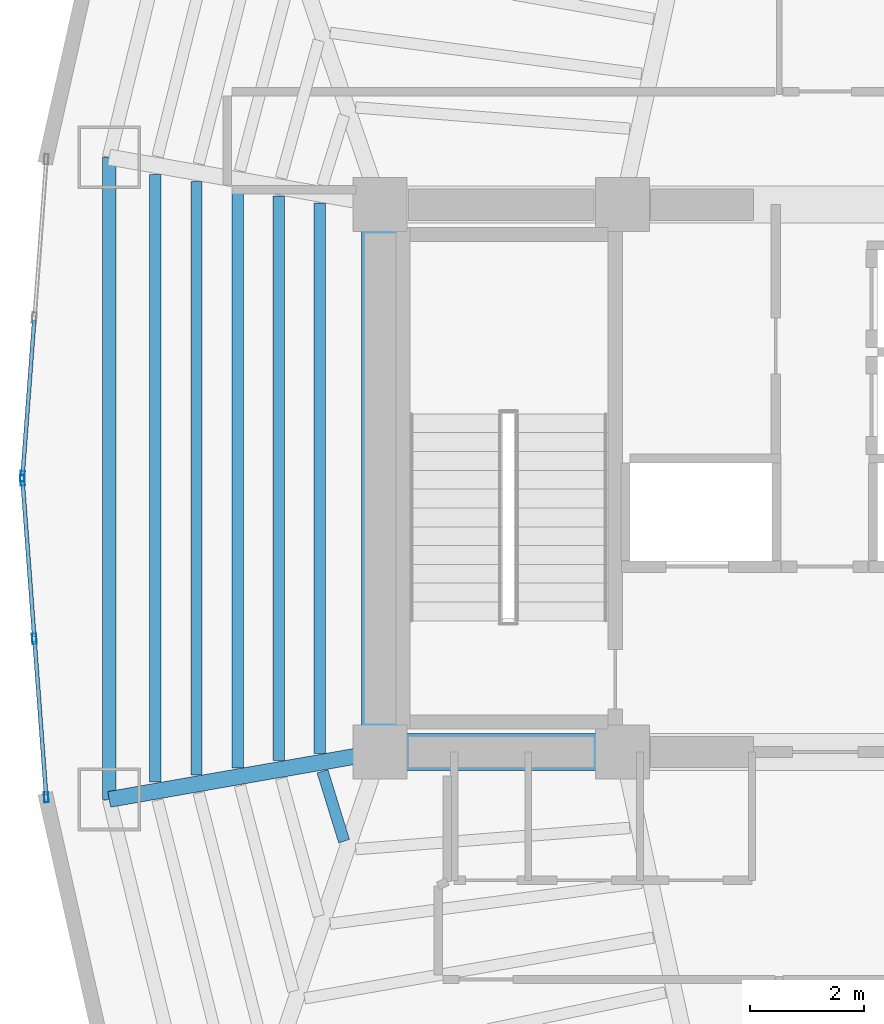
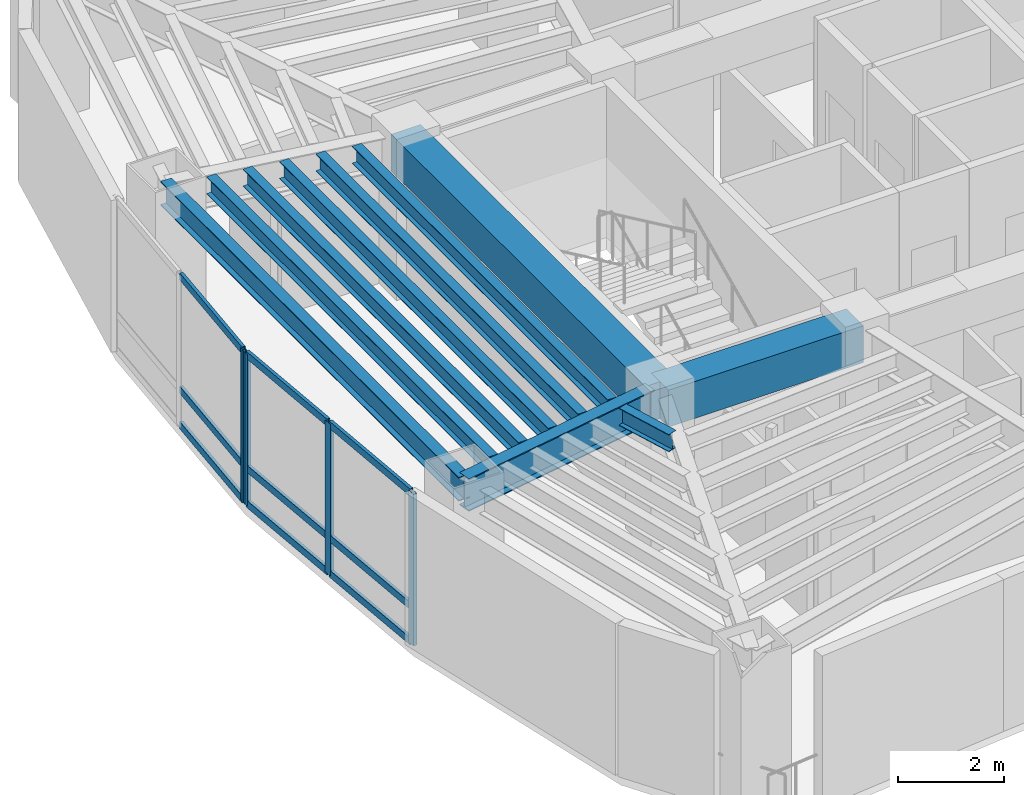
# One storey, part 3 of 17: 13 members, 10 beams, 2 elements without a shape of their own.
"""IFC4 building model written with IfcOpenShell, lengths in metres."""

import ifcopenshell
import ifcopenshell.guid

model = None  # the IFC model being written
_history = None  # IfcOwnerHistory: only IFC2X3 demands one
_inside = {}  # id of a spatial element -> (the spatial element, [elements in it])
_under = {}  # id of a project, library or spatial element -> (it, [spatial elements below it])
_declared = {}  # id of a project -> (the project, [libraries it declares])
_typed = {}  # id of a type object -> (the type object, [elements of that type])
_made_of = {}  # id of a material, layer set ... -> (it, [elements and type objects made of it])


def new_model(schema):
    """Start an empty IFC model of exactly this schema.

    Asked for "IFC4X3", IfcOpenShell would pick the latest addendum, in which some entities
    have other attributes; the version numbers below select the first issue.
    IFC2X3 requires an IfcOwnerHistory on every rooted entity: one is made here for all.
    """
    global model, _history
    if schema == "IFC4X3":
        model = ifcopenshell.file(schema_version=(4, 3, 0, 0))
    else:
        model = ifcopenshell.file(schema=schema)
    _inside.clear()
    _under.clear()
    _declared.clear()
    _typed.clear()
    _made_of.clear()
    _history = None
    if model.schema == "IFC2X3":
        org = make("IfcOrganization", Name="unknown")
        user = make(
            "IfcPersonAndOrganization",
            ThePerson=make("IfcPerson", FamilyName="unknown"),
            TheOrganization=org,
        )
        app = make(
            "IfcApplication",
            ApplicationDeveloper=org,
            Version="unknown",
            ApplicationFullName="unknown",
            ApplicationIdentifier="unknown",
        )
        _history = make(
            "IfcOwnerHistory",
            OwningUser=user,
            OwningApplication=app,
            ChangeAction="ADDED",
            CreationDate=0,
        )
    return model


def make(cls, **values):
    """One entity of the class cls with the attributes given. An attribute that is None is left unset."""
    return model.create_entity(
        cls, **{name: value for name, value in values.items() if value is not None}
    )


def rooted(cls, **values):
    """An entity with a GlobalId (a new one), such as an element, a storey or a relation."""
    return make(cls, GlobalId=ifcopenshell.guid.new(), OwnerHistory=_history, **values)


def si_unit(unit_type, name, prefix=None):
    """IfcSIUnit, for example si_unit("LENGTHUNIT", "METRE", prefix="MILLI")."""
    return make("IfcSIUnit", UnitType=unit_type, Prefix=prefix, Name=name)


def assignment(units):
    """IfcUnitAssignment: the units of a project."""
    return None if units is None else make("IfcUnitAssignment", Units=units)


def point(xyz):
    """IfcCartesianPoint."""
    return None if xyz is None else make("IfcCartesianPoint", Coordinates=xyz)


def direction(xyz):
    """IfcDirection."""
    return None if xyz is None else make("IfcDirection", DirectionRatios=xyz)


def frame(location, z_axis=None, x_axis=None):
    """IfcAxis2Placement3D, a coordinate frame: its origin and axes. An axis left out is left unset."""
    return make(
        "IfcAxis2Placement3D",
        Location=point(location),
        Axis=direction(z_axis),
        RefDirection=direction(x_axis),
    )


def frame_2d(location, x_axis=None):
    """IfcAxis2Placement2D, a coordinate frame in the plane: its origin and x axis."""
    return make(
        "IfcAxis2Placement2D", Location=point(location), RefDirection=direction(x_axis)
    )


def origin():
    """The frame at (0, 0, 0) with its axes left unset."""
    return frame((0.0, 0.0, 0.0))


def origin_2d():
    """The frame at (0, 0) in the plane with its x axis left unset."""
    return frame_2d((0.0, 0.0))


def place(relative_to, where):
    """IfcLocalPlacement: puts the frame where relative to a parent placement (None: the world)."""
    return make(
        "IfcLocalPlacement", PlacementRelTo=relative_to, RelativePlacement=where
    )


def context(
    kind, dimensions, precision=None, world=None, true_north=None, identifier=None
):
    """IfcGeometricRepresentationContext, for example the 3D "Model" context."""
    return make(
        "IfcGeometricRepresentationContext",
        ContextIdentifier=identifier,
        ContextType=kind,
        CoordinateSpaceDimension=dimensions,
        Precision=precision,
        WorldCoordinateSystem=world,
        TrueNorth=true_north,
    )


def subcontext(parent, identifier, kind, view, scale=None):
    """IfcGeometricRepresentationSubContext, for example "Body" below "Model"."""
    return make(
        "IfcGeometricRepresentationSubContext",
        ContextIdentifier=identifier,
        ContextType=kind,
        ParentContext=parent,
        TargetScale=scale,
        TargetView=view,
    )


def project(units=None, contexts=None):
    """IfcProject with its units and contexts."""
    return rooted(
        "IfcProject",
        Name="project",
        RepresentationContexts=contexts,
        UnitsInContext=assignment(units),
    )


def spatial(cls, under=None, at=None, **own):
    """A site, building, storey or space (cls), placed at a placement, below another one or the project."""
    s = rooted(cls, ObjectPlacement=at, **own)
    if under is not None:
        _under.setdefault(under.id(), (under, []))[1].append(s)
    return s


def profile(cls, at=None, kind="AREA", **sizes):
    """A parametric profile (cls). Its sizes go by their IFC names, for example OverallWidth=200.0."""
    return make(cls, ProfileType=kind, Position=at, **sizes)


def rectangle(**sizes):
    """IfcRectangleProfileDef."""
    return profile("IfcRectangleProfileDef", **sizes)


def hollow_rectangle(**sizes):
    """IfcRectangleHollowProfileDef."""
    return profile("IfcRectangleHollowProfileDef", **sizes)


def i_section(**sizes):
    """IfcIShapeProfileDef."""
    return profile("IfcIShapeProfileDef", **sizes)


def extrude(swept, where, along, depth):
    """IfcExtrudedAreaSolid: the profile swept, set in the frame where, extruded along a direction by depth."""
    return make(
        "IfcExtrudedAreaSolid",
        SweptArea=swept,
        Position=where,
        ExtrudedDirection=direction(along),
        Depth=depth,
    )


def shape(context_of_items, identifier, shape_type, items):
    """IfcShapeRepresentation: the items that make up one representation, for example the "Body"."""
    return make(
        "IfcShapeRepresentation",
        ContextOfItems=context_of_items,
        RepresentationIdentifier=identifier,
        RepresentationType=shape_type,
        Items=items,
    )


def material(Name=None, Category=None):
    """IfcMaterial."""
    return make("IfcMaterial", Name=Name, Category=Category)


def layer(
    of_material, thickness, ventilated=None, Name=None, Category=None, Priority=None
):
    """IfcMaterialLayer: one layer of a wall or slab, of a material (None: an air gap)."""
    return make(
        "IfcMaterialLayer",
        Material=of_material,
        LayerThickness=thickness,
        IsVentilated=ventilated,
        Name=Name,
        Category=Category,
        Priority=Priority,
    )


def layer_set(layers, Name=None):
    """IfcMaterialLayerSet."""
    return make("IfcMaterialLayerSet", MaterialLayers=layers, LayerSetName=Name)


def material_profile(
    of_material, cross_section, Name=None, Category=None, Priority=None
):
    """IfcMaterialProfile: a cross section and its material."""
    return make(
        "IfcMaterialProfile",
        Name=Name,
        Material=of_material,
        Profile=cross_section,
        Priority=Priority,
        Category=Category,
    )


def profile_set(profiles, Name=None, composite=None):
    """IfcMaterialProfileSet."""
    return make(
        "IfcMaterialProfileSet",
        Name=Name,
        MaterialProfiles=profiles,
        CompositeProfile=composite,
    )


def made_of(thing, what):
    """Note that an element or type object is made of a material, layer set ...; save() writes the relation."""
    if what is not None:
        _made_of.setdefault(what.id(), (what, []))[1].append(thing)
    return thing


def type_object(cls, material=None, **own):
    """A type object (cls), such as IfcWallType, which elements share."""
    return made_of(rooted(cls, **own), material)


def element(
    cls,
    number,
    at=None,
    inside=None,
    cuts=None,
    type_object=None,
    material=None,
    context=None,
    identifier="Body",
    shape_type=None,
    held_by="IfcProductDefinitionShape",
    body=None,
    shapes=None,
    **own,
):
    """One element of the class cls, such as IfcWall. Its Tag is "e" and its number.

    at: its placement. inside: the storey or other place that contains it. cuts: it is an
    opening in that element (IfcRelVoidsElement). A single representation is given by context,
    identifier, shape_type and body (its items); several are given by shapes. held_by: the class
    of the entity that holds the representations. save() writes the other relations.
    """
    e = rooted(cls, Tag="e%d" % number, ObjectPlacement=at, **own)
    if body is not None:
        shapes = [shape(context, identifier, shape_type, body)]
    if shapes is not None:
        e.Representation = make(held_by, Representations=shapes)
    if inside is not None:
        _inside.setdefault(inside.id(), (inside, []))[1].append(e)
    if cuts is not None:
        rooted(
            "IfcRelVoidsElement", RelatingBuildingElement=cuts, RelatedOpeningElement=e
        )
    if type_object is not None:
        _typed.setdefault(type_object.id(), (type_object, []))[1].append(e)
    return made_of(e, material)


def aggregate(whole, parts):
    """IfcRelAggregates: a whole, such as a stair, and the parts it consists of."""
    return rooted("IfcRelAggregates", RelatingObject=whole, RelatedObjects=parts)


def save(model, path):
    """Write the relations noted so far, then the file.

    IfcRelAggregates (storeys below a building ...), IfcRelContainedInSpatialStructure (elements
    in a storey), IfcRelDefinesByType, IfcRelAssociatesMaterial and IfcRelDeclares: one each for
    every whole, place, type object, material and project.
    """
    for whole, parts in _under.values():
        aggregate(whole, parts)
    for where, things in _inside.values():
        rooted(
            "IfcRelContainedInSpatialStructure",
            RelatedElements=things,
            RelatingStructure=where,
        )
    for kind, things in _typed.values():
        rooted("IfcRelDefinesByType", RelatedObjects=things, RelatingType=kind)
    for what, things in _made_of.values():
        rooted("IfcRelAssociatesMaterial", RelatedObjects=things, RelatingMaterial=what)
    for by, libraries in _declared.values():
        rooted("IfcRelDeclares", RelatingContext=by, RelatedDefinitions=libraries)
    model.write(path)


model = new_model("IFC4")

# Units and contexts
model_context = context("Model", 3, precision=1e-05, world=origin(), true_north=direction((0.0, 1.0)))
body_context = subcontext(model_context, "Body", "Model", "MODEL_VIEW")
ifc_project = project(units=[si_unit("LENGTHUNIT", "METRE"), si_unit("AREAUNIT", "SQUARE_METRE"), si_unit("VOLUMEUNIT", "CUBIC_METRE"), si_unit("PLANEANGLEUNIT", "RADIAN"), si_unit("MASSUNIT", "GRAM", prefix="KILO")], contexts=[model_context])

# Site, building, storey
site_placement = place(None, origin())
site = spatial("IfcSite", under=ifc_project, at=site_placement, CompositionType="ELEMENT")
building_placement = place(site_placement, origin())
building = spatial("IfcBuilding", under=site, at=building_placement, Name="Menara Vayukalpa", CompositionType="ELEMENT")
storey_placement = place(building_placement, frame((0.0, 0.0, 154.320068359375)))
storey = spatial("IfcBuildingStorey", under=building, at=storey_placement, Name="L38", CompositionType="ELEMENT", Elevation=154.320068359375)

# Beams
ifc_material_1 = material(Name="Concrete C60/75", Category="concrete")
ifc_material_profile_1 = material_profile(ifc_material_1, rectangle(XDim=0.64990234375, YDim=0.85009765625, at=origin_2d()), Name="RC 650x850")
ifc_profile_set_1 = profile_set([ifc_material_profile_1], Name="Concrete C60/75")
beam_type_1 = type_object("IfcBeamType", Name="BM-CB1", PredefinedType="BEAM", material=ifc_profile_set_1)
beam_1_placement = place(storey_placement, frame((17.800048828125, 17.199951171875, 3.074951171875), z_axis=(1.0, 0.0, 0.0), x_axis=(0.0, 1.0, 0.0)))
element("IfcBeam", 1, at=beam_1_placement, inside=storey, type_object=beam_type_1, Name="L38 Core Tie Beam CBR1", PredefinedType="BEAM", context=body_context, shape_type="SweptSolid", body=[
    extrude(rectangle(XDim=0.64990234375, YDim=0.85009765625, at=origin_2d()), origin(), (0.0, 0.0, 1.0), 4.25),
])
beam_2_placement = place(storey_placement, frame((17.800048828125, 17.199951171875, 3.074951171875), z_axis=(0.0, 1.0, 0.0), x_axis=(-1.0, 0.0, 0.0)))
element("IfcBeam", 2, at=beam_2_placement, inside=storey, type_object=beam_type_1, Name="L38 Core Tie Beam CBR7", PredefinedType="BEAM", context=body_context, shape_type="SweptSolid", body=[
    extrude(rectangle(XDim=0.64990234375, YDim=0.85009765625, at=origin_2d()), origin(), (0.0, 0.0, 1.0), 9.60009765625),
])
ifc_material_2 = material(Name="Steel S355", Category="steel")
ifc_material_profile_2 = material_profile(ifc_material_2, i_section(OverallWidth=0.280029296875, OverallDepth=0.75, WebThickness=0.013916015625, FlangeThickness=0.02490234375, at=origin_2d()), Name="WF 750x280x14x25")
ifc_profile_set_2 = profile_set([ifc_material_profile_2], Name="Steel S355")
beam_type_2 = type_object("IfcBeamType", Name="BM-PG4", PredefinedType="BEAM", material=ifc_profile_set_2)
beam_3_placement = place(storey_placement, frame((17.5537109375, 17.156982421875, 3.125), z_axis=(-0.985011651805, -0.172487813505, 0.0), x_axis=(0.172487813505, -0.985011651805, 0.0)))
element("IfcBeam", 3, at=beam_3_placement, inside=storey, type_object=beam_type_2, Name="L38 Primary Radial Girder RG06", PredefinedType="BEAM", context=body_context, shape_type="SweptSolid", body=[
    extrude(i_section(OverallWidth=0.280029296875, OverallDepth=0.75, WebThickness=0.013916015625, FlangeThickness=0.02490234375, at=origin_2d()), origin(), (0.0, 0.0, 1.0), 4.5732421875),
])
ifc_material_3 = material(Name="Steel S355", Category="steel")
ifc_material_profile_3 = material_profile(ifc_material_3, i_section(OverallWidth=0.199951171875, OverallDepth=0.39990234375, WebThickness=0.008056640625, FlangeThickness=0.012939453125, at=origin_2d()), Name="WF 400x200x8x13")
ifc_profile_set_3 = profile_set([ifc_material_profile_3], Name="Steel S355")
beam_type_3 = type_object("IfcBeamType", Name="BM-SJ2", PredefinedType="JOIST", material=ifc_profile_set_3)
beam_4_placement = place(storey_placement, frame((16.742919921875, 26.8251953125, 3.300048828125), z_axis=(0.0, -1.0, 0.0), x_axis=(1.0, 0.0, 0.0)))
element("IfcBeam", 4, at=beam_4_placement, inside=storey, type_object=beam_type_3, Name="L38 Secondary Floor Joist SJ05-1", PredefinedType="JOIST", context=body_context, shape_type="SweptSolid", body=[
    extrude(i_section(OverallWidth=0.199951171875, OverallDepth=0.39990234375, WebThickness=0.008056640625, FlangeThickness=0.012939453125, at=origin_2d()), origin(), (0.0, 0.0, 1.0), 9.650390625),
])
beam_5_placement = place(storey_placement, frame((16.022216796875, 26.951416015625, 3.300048828125), z_axis=(0.0, -1.0, 0.0), x_axis=(1.0, 0.0, 0.0)))
element("IfcBeam", 5, at=beam_5_placement, inside=storey, type_object=beam_type_3, Name="L38 Secondary Floor Joist SJ05-2", PredefinedType="JOIST", context=body_context, shape_type="SweptSolid", body=[
    extrude(i_section(OverallWidth=0.199951171875, OverallDepth=0.39990234375, WebThickness=0.008056640625, FlangeThickness=0.012939453125, at=origin_2d()), origin(), (0.0, 0.0, 1.0), 9.90283203125),
])
beam_6_placement = place(storey_placement, frame((15.301513671875, 27.077392578125, 3.300048828125), z_axis=(0.0, -1.0, 0.0), x_axis=(1.0, 0.0, 0.0)))
element("IfcBeam", 6, at=beam_6_placement, inside=storey, type_object=beam_type_3, Name="L38 Secondary Floor Joist SJ05-3", PredefinedType="JOIST", context=body_context, shape_type="SweptSolid", body=[
    extrude(i_section(OverallWidth=0.199951171875, OverallDepth=0.39990234375, WebThickness=0.008056640625, FlangeThickness=0.012939453125, at=origin_2d()), origin(), (0.0, 0.0, 1.0), 10.15478515625),
])
beam_7_placement = place(storey_placement, frame((14.580810546875, 27.20361328125, 3.300048828125), z_axis=(0.0, -1.0, 0.0), x_axis=(1.0, 0.0, 0.0)))
element("IfcBeam", 7, at=beam_7_placement, inside=storey, type_object=beam_type_3, Name="L38 Secondary Floor Joist SJ05-4", PredefinedType="JOIST", context=body_context, shape_type="SweptSolid", body=[
    extrude(i_section(OverallWidth=0.199951171875, OverallDepth=0.39990234375, WebThickness=0.008056640625, FlangeThickness=0.012939453125, at=origin_2d()), origin(), (0.0, 0.0, 1.0), 10.4072265625),
])
beam_8_placement = place(storey_placement, frame((13.85986328125, 27.329833984375, 3.300048828125), z_axis=(0.0, -1.0, 0.0), x_axis=(1.0, 0.0, 0.0)))
element("IfcBeam", 8, at=beam_8_placement, inside=storey, type_object=beam_type_3, Name="L38 Secondary Floor Joist SJ05-5", PredefinedType="JOIST", context=body_context, shape_type="SweptSolid", body=[
    extrude(i_section(OverallWidth=0.199951171875, OverallDepth=0.39990234375, WebThickness=0.008056640625, FlangeThickness=0.012939453125, at=origin_2d()), origin(), (0.0, 0.0, 1.0), 10.65966796875),
])
beam_9_placement = place(storey_placement, frame((16.7900390625, 16.862060546875, 3.300048828125), z_axis=(0.294914687622, -0.955523587896, 0.0), x_axis=(0.955523587896, 0.294914687622, 0.0)))
element("IfcBeam", 9, at=beam_9_placement, inside=storey, type_object=beam_type_3, Name="L38 Secondary Floor Joist SJ06-1", PredefinedType="JOIST", context=body_context, shape_type="SweptSolid", body=[
    extrude(i_section(OverallWidth=0.199951171875, OverallDepth=0.39990234375, WebThickness=0.008056640625, FlangeThickness=0.012939453125, at=origin_2d()), origin(), (0.0, 0.0, 1.0), 1.283203125),
])
ifc_material_4 = material(Name="Steel S355", Category="steel")
ifc_material_profile_4 = material_profile(ifc_material_4, i_section(OverallWidth=0.239990234375, OverallDepth=0.550048828125, WebThickness=0.010986328125, FlangeThickness=0.01904296875, at=origin_2d()), Name="WF 550x240x11x19")
ifc_profile_set_4 = profile_set([ifc_material_profile_4], Name="Steel S355")
beam_type_4 = type_object("IfcBeamType", Name="BM-SP2", PredefinedType="SPANDREL", material=ifc_profile_set_4)
beam_10_placement = place(storey_placement, frame((13.049072265625, 27.6318359375, 3.224853515625), z_axis=(0.0, -1.0, 0.0), x_axis=(1.0, 0.0, 0.0)))
element("IfcBeam", 10, at=beam_10_placement, inside=storey, type_object=beam_type_4, Name="L38 Perimeter Spandrel Beam SP05", PredefinedType="SPANDREL", context=body_context, shape_type="SweptSolid", body=[
    extrude(i_section(OverallWidth=0.239990234375, OverallDepth=0.550048828125, WebThickness=0.010986328125, FlangeThickness=0.01904296875, at=origin_2d()), origin(), (0.0, 0.0, 1.0), 11.263671875),
])

# Curtain wall, member
ifc_material_5 = material(Name="Anodised Terracotta Aluminium Alloy 6063-T6", Category="masonry")
ifc_layer = layer(ifc_material_5, 0.179931640625)
ifc_layer_set = layer_set([ifc_layer], Name="Anodised Terracotta Aluminium Alloy 6063-T6")
curtain_wall_type = type_object("IfcCurtainWallType", Name="CW-CW4", PredefinedType="USERDEFINED", material=ifc_layer_set)
curtain_wall_1_placement = place(storey_placement, origin())
curtain_wall_1 = element("IfcCurtainWall", 11, at=curtain_wall_1_placement, inside=storey, type_object=curtain_wall_type, Name="L38 Sky Bar Cantilever Glazed Curtain Wall CW4 10", ObjectType="UNITISED", PredefinedType="USERDEFINED")
ifc_material_6 = material(Name="Anodised Terracotta Aluminium Alloy 6063-T6", Category="masonry")
ifc_material_profile_5 = material_profile(ifc_material_6, hollow_rectangle(XDim=0.074951171875, YDim=0.179931640625, WallThickness=0.00390625, at=origin_2d()), Name="ALU 75x180x4")
ifc_profile_set_5 = profile_set([ifc_material_profile_5], Name="Anodised Terracotta Aluminium Alloy 6063-T6")
member_type_1 = type_object("IfcMemberType", Name="CWM-CW4", PredefinedType="MULLION", material=ifc_profile_set_5)
member_1_placement = place(storey_placement, frame((11.529541015625, 22.037353515625, 0.0), z_axis=(0.0, 0.0, 1.0), x_axis=(0.997199111801, -0.074792589364, 0.0)))
member_1 = element("IfcMember", 12, at=member_1_placement, type_object=member_type_1, Name="CW4 mullion 3", PredefinedType="MULLION", context=body_context, shape_type="SweptSolid", body=[
    extrude(hollow_rectangle(XDim=0.074951171875, YDim=0.179931640625, WallThickness=0.00390625, at=origin_2d()), origin(), (0.0, 0.0, 1.0), 3.5),
])

# Curtain wall, members
curtain_wall_2_placement = place(storey_placement, origin())
curtain_wall_2 = element("IfcCurtainWall", 13, at=curtain_wall_2_placement, inside=storey, type_object=curtain_wall_type, Name="L38 Sky Bar Cantilever Glazed Curtain Wall CW4 11", ObjectType="UNITISED", PredefinedType="USERDEFINED")
member_2_placement = place(storey_placement, frame((11.529541015625, 21.962646484375, 0.0), z_axis=(0.0, 0.0, 1.0), x_axis=(0.997199111801, 0.074792589364, 0.0)))
member_2 = element("IfcMember", 14, at=member_2_placement, type_object=member_type_1, Name="CW4 mullion 1", PredefinedType="MULLION", context=body_context, shape_type="SweptSolid", body=[
    extrude(hollow_rectangle(XDim=0.074951171875, YDim=0.179931640625, WallThickness=0.00390625, at=origin_2d()), origin(), (0.0, 0.0, 1.0), 3.5),
])
member_3_placement = place(storey_placement, frame((11.73779296875, 19.18408203125, 0.0), z_axis=(0.0, 0.0, 1.0), x_axis=(0.997199111801, 0.074792589364, 0.0)))
member_3 = element("IfcMember", 15, at=member_3_placement, type_object=member_type_1, Name="CW4 mullion 2", PredefinedType="MULLION", context=body_context, shape_type="SweptSolid", body=[
    extrude(hollow_rectangle(XDim=0.074951171875, YDim=0.179931640625, WallThickness=0.00390625, at=origin_2d()), origin(), (0.0, 0.0, 1.0), 3.5),
])
member_4_placement = place(storey_placement, frame((11.9462890625, 16.405517578125, 0.0), z_axis=(0.0, 0.0, 1.0), x_axis=(0.997199111801, 0.074792589364, 0.0)))
member_4 = element("IfcMember", 16, at=member_4_placement, type_object=member_type_1, Name="CW4 mullion 3", PredefinedType="MULLION", context=body_context, shape_type="SweptSolid", body=[
    extrude(hollow_rectangle(XDim=0.074951171875, YDim=0.179931640625, WallThickness=0.00390625, at=origin_2d()), origin(), (0.0, 0.0, 1.0), 3.5),
])

# Member
ifc_material_7 = material(Name="Anodised Terracotta Aluminium Alloy 6063-T6", Category="masonry")
ifc_material_profile_6 = material_profile(ifc_material_7, hollow_rectangle(XDim=0.070068359375, YDim=0.1650390625, WallThickness=0.00390625, at=origin_2d()), Name="ALU 70x165x4")
ifc_profile_set_6 = profile_set([ifc_material_profile_6], Name="Anodised Terracotta Aluminium Alloy 6063-T6")
member_type_2 = type_object("IfcMemberType", Name="CWT-CW4", PredefinedType="USERDEFINED", material=ifc_profile_set_6)
member_5_placement = place(storey_placement, frame((11.735107421875, 24.778564453125, 0.034912109375), z_axis=(-0.074823524461, -0.997196791104, 0.0), x_axis=(0.997196791104, -0.074823524461, 0.0)))
member_5 = element("IfcMember", 17, at=member_5_placement, type_object=member_type_2, Name="CW4 transom 2.1", ObjectType="TRANSOM", PredefinedType="USERDEFINED", context=body_context, shape_type="SweptSolid", body=[
    extrude(hollow_rectangle(XDim=0.070068359375, YDim=0.1650390625, WallThickness=0.00390625, at=origin_2d()), origin(), (0.0, 0.0, 1.0), 2.71142578125),
])

member_6_placement = place(storey_placement, frame((11.735107421875, 24.778564453125, 0.849853515625), z_axis=(-0.074823524461, -0.997196791104, 0.0), x_axis=(0.997196791104, -0.074823524461, 0.0)))
member_6 = element("IfcMember", 18, at=member_6_placement, type_object=member_type_2, Name="CW4 transom 2.2", ObjectType="TRANSOM", PredefinedType="USERDEFINED", context=body_context, shape_type="SweptSolid", body=[
    extrude(hollow_rectangle(XDim=0.070068359375, YDim=0.1650390625, WallThickness=0.00390625, at=origin_2d()), origin(), (0.0, 0.0, 1.0), 2.71142578125),
])

member_7_placement = place(storey_placement, frame((11.735107421875, 24.778564453125, 3.46484375), z_axis=(-0.074823524461, -0.997196791104, 0.0), x_axis=(0.997196791104, -0.074823524461, 0.0)))
member_7 = element("IfcMember", 19, at=member_7_placement, type_object=member_type_2, Name="CW4 transom 2.3", ObjectType="TRANSOM", PredefinedType="USERDEFINED", context=body_context, shape_type="SweptSolid", body=[
    extrude(hollow_rectangle(XDim=0.070068359375, YDim=0.1650390625, WallThickness=0.00390625, at=origin_2d()), origin(), (0.0, 0.0, 1.0), 2.71142578125),
])

aggregate(curtain_wall_1, [member_1, member_5, member_6, member_7])

member_8_placement = place(storey_placement, frame((11.5322265625, 21.92529296875, 0.034912109375), z_axis=(0.074823524461, -0.997196791104, 0.0), x_axis=(0.997196791104, 0.074823524461, 0.0)))
member_8 = element("IfcMember", 20, at=member_8_placement, type_object=member_type_2, Name="CW4 transom 1.1", ObjectType="TRANSOM", PredefinedType="USERDEFINED", context=body_context, shape_type="SweptSolid", body=[
    extrude(hollow_rectangle(XDim=0.070068359375, YDim=0.1650390625, WallThickness=0.00390625, at=origin_2d()), origin(), (0.0, 0.0, 1.0), 2.71142578125),
])

member_9_placement = place(storey_placement, frame((11.5322265625, 21.92529296875, 0.849853515625), z_axis=(0.074823524461, -0.997196791104, 0.0), x_axis=(0.997196791104, 0.074823524461, 0.0)))
member_9 = element("IfcMember", 21, at=member_9_placement, type_object=member_type_2, Name="CW4 transom 1.2", ObjectType="TRANSOM", PredefinedType="USERDEFINED", context=body_context, shape_type="SweptSolid", body=[
    extrude(hollow_rectangle(XDim=0.070068359375, YDim=0.1650390625, WallThickness=0.00390625, at=origin_2d()), origin(), (0.0, 0.0, 1.0), 2.71142578125),
])

member_10_placement = place(storey_placement, frame((11.5322265625, 21.92529296875, 3.46484375), z_axis=(0.074823524461, -0.997196791104, 0.0), x_axis=(0.997196791104, 0.074823524461, 0.0)))
member_10 = element("IfcMember", 22, at=member_10_placement, type_object=member_type_2, Name="CW4 transom 1.3", ObjectType="TRANSOM", PredefinedType="USERDEFINED", context=body_context, shape_type="SweptSolid", body=[
    extrude(hollow_rectangle(XDim=0.070068359375, YDim=0.1650390625, WallThickness=0.00390625, at=origin_2d()), origin(), (0.0, 0.0, 1.0), 2.71142578125),
])

member_11_placement = place(storey_placement, frame((11.74072265625, 19.146728515625, 0.034912109375), z_axis=(0.074823524461, -0.997196791104, 0.0), x_axis=(0.997196791104, 0.074823524461, 0.0)))
member_11 = element("IfcMember", 23, at=member_11_placement, type_object=member_type_2, Name="CW4 transom 2.1", ObjectType="TRANSOM", PredefinedType="USERDEFINED", context=body_context, shape_type="SweptSolid", body=[
    extrude(hollow_rectangle(XDim=0.070068359375, YDim=0.1650390625, WallThickness=0.00390625, at=origin_2d()), origin(), (0.0, 0.0, 1.0), 2.71142578125),
])

member_12_placement = place(storey_placement, frame((11.74072265625, 19.146728515625, 0.849853515625), z_axis=(0.074823524461, -0.997196791104, 0.0), x_axis=(0.997196791104, 0.074823524461, 0.0)))
member_12 = element("IfcMember", 24, at=member_12_placement, type_object=member_type_2, Name="CW4 transom 2.2", ObjectType="TRANSOM", PredefinedType="USERDEFINED", context=body_context, shape_type="SweptSolid", body=[
    extrude(hollow_rectangle(XDim=0.070068359375, YDim=0.1650390625, WallThickness=0.00390625, at=origin_2d()), origin(), (0.0, 0.0, 1.0), 2.71142578125),
])

member_13_placement = place(storey_placement, frame((11.74072265625, 19.146728515625, 3.46484375), z_axis=(0.074823524461, -0.997196791104, 0.0), x_axis=(0.997196791104, 0.074823524461, 0.0)))
member_13 = element("IfcMember", 25, at=member_13_placement, type_object=member_type_2, Name="CW4 transom 2.3", ObjectType="TRANSOM", PredefinedType="USERDEFINED", context=body_context, shape_type="SweptSolid", body=[
    extrude(hollow_rectangle(XDim=0.070068359375, YDim=0.1650390625, WallThickness=0.00390625, at=origin_2d()), origin(), (0.0, 0.0, 1.0), 2.71142578125),
])

aggregate(curtain_wall_2, [member_2, member_3, member_4, member_8, member_9, member_10, member_11, member_12, member_13])

save(model, "model.ifc")
